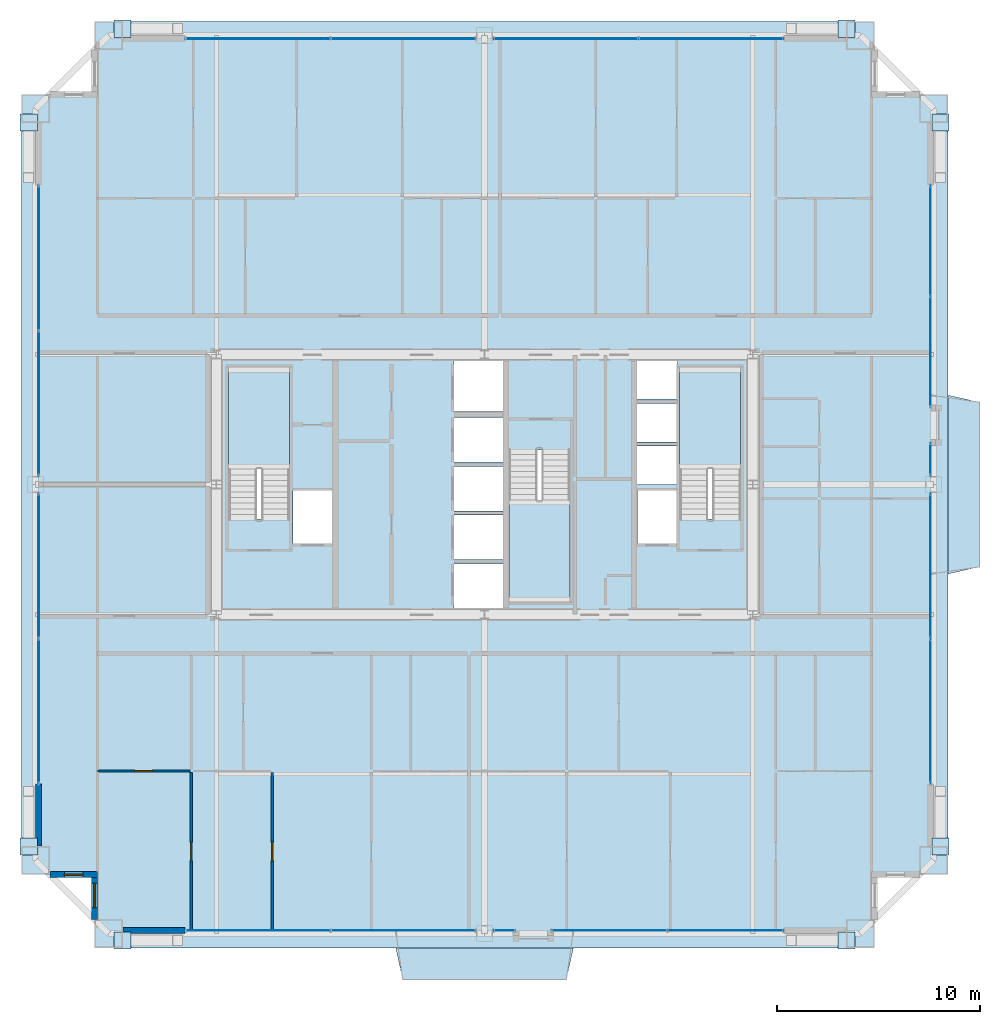
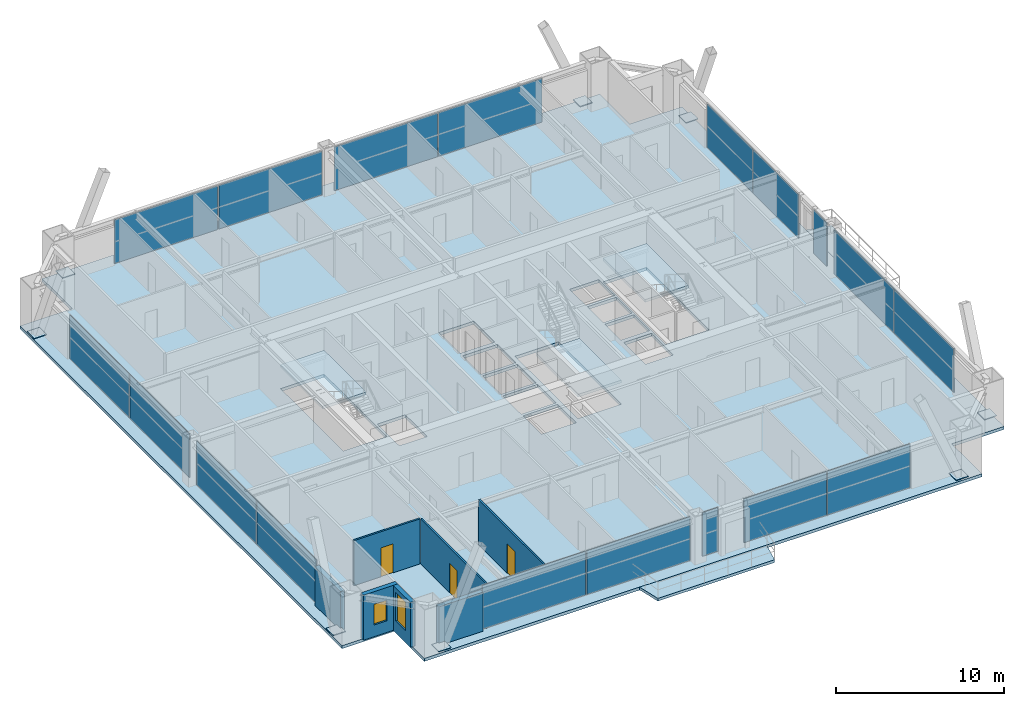
# One storey, part 39 of 45: 26 plates, 7 walls, 6 slabs, 3 doors, 2 windows, 5 openings, 13 elements without a shape of their own.
"""IFC4 building model written with IfcOpenShell, lengths in metres."""

from ifc_helpers import new_model, si_unit, direction, frame, frame_2d, origin, origin_2d, place, context, subcontext, project, spatial, polyline, rectangle, outline, extrude, source, transform, mapped, material, layer, layer_set, type_object, element, fill, aggregate, save


model = new_model("IFC4")

# Units and contexts
model_context = context("Model", 3, precision=1e-05, world=origin(), true_north=direction((0.0, 1.0)))
body_context = subcontext(model_context, "Body", "Model", "MODEL_VIEW")
ifc_project = project(units=[si_unit("LENGTHUNIT", "METRE"), si_unit("AREAUNIT", "SQUARE_METRE"), si_unit("VOLUMEUNIT", "CUBIC_METRE"), si_unit("PLANEANGLEUNIT", "RADIAN"), si_unit("MASSUNIT", "GRAM", prefix="KILO"), si_unit("THERMODYNAMICTEMPERATUREUNIT", "KELVIN"), si_unit("POWERUNIT", "WATT")], contexts=[model_context])

# Site, building, storey
site_placement = place(None, origin())
site = spatial("IfcSite", under=ifc_project, at=site_placement, CompositionType="ELEMENT")
building_placement = place(site_placement, origin())
building = spatial("IfcBuilding", under=site, at=building_placement, Name="Yuzanri Waterfront Tower", CompositionType="ELEMENT")
storey_placement = place(building_placement, frame((0.0, 0.0, 191.5)))
storey = spatial("IfcBuildingStorey", under=building, at=storey_placement, Name="L50", CompositionType="ELEMENT", Elevation=191.5)

# Slabs
ifc_material_1 = material(Name="Concrete C40", Category="concrete")
ifc_layer_1 = layer(ifc_material_1, 0.199951171875)
ifc_layer_set_1 = layer_set([ifc_layer_1], Name="Concrete C40")
slab_type_1 = type_object("IfcSlabType", Name="Concrete C40 Cantilevered Engawa Wave Terrace Slab 200", PredefinedType="FLOOR", material=ifc_layer_set_1)
slab_1_placement = place(storey_placement, frame((0.0, 0.0, -0.199951171875)))
element("IfcSlab", 1, at=slab_1_placement, inside=storey, type_object=slab_type_1, Name="L50 S Cantilevered Engawa Terrace Slab", PredefinedType="FLOOR", context=body_context, shape_type="SweptSolid", body=[
    extrude(outline(polyline([(32.625, 3.0), (41.375, 3.0), (41.02490234375, 1.43896484375), (32.97509765625, 1.43896484375), (32.625, 3.0)])), origin(), (0.0, 0.0, 1.0), 0.199951171875),
])
slab_2_placement = place(storey_placement, frame((0.0, 0.0, -0.199951171875)))
element("IfcSlab", 2, at=slab_2_placement, inside=storey, type_object=slab_type_1, Name="L50 E Cantilevered Engawa Terrace Slab", PredefinedType="FLOOR", context=body_context, shape_type="SweptSolid", body=[
    extrude(outline(polyline([(59.800048828125, 21.39990234375), (61.361083984375, 21.75), (61.361083984375, 29.85009765625), (59.800048828125, 30.199951171875), (59.800048828125, 21.39990234375)])), origin(), (0.0, 0.0, 1.0), 0.199951171875),
])

# Stair, slab
ifc_material_2 = material(Name="Concrete C40", Category="concrete")
stair_type = type_object("IfcStairType", Name="Concrete C40 Core Dogleg Exit Stair", PredefinedType="HALF_TURN_STAIR", material=ifc_material_2)
stair_1_placement = place(storey_placement, origin())
stair_1 = element("IfcStair", 3, at=stair_1_placement, inside=storey, type_object=stair_type, Name="L50 Smoke-Proof Core Stair ST-01", PredefinedType="HALF_TURN_STAIR")
ifc_material_3 = material(Name="Concrete C40", Category="concrete")
ifc_layer_2 = layer(ifc_material_3, 0.179931640625)
ifc_layer_set_2 = layer_set([ifc_layer_2], Name="Concrete C40")
slab_type_2 = type_object("IfcSlabType", Name="Concrete C40 Stair Half-Landing Slab 180", PredefinedType="LANDING", material=ifc_layer_set_2)
slab_3_placement = place(storey_placement, frame((0.0, 0.0, 1.550048828125)))
slab_3 = element("IfcSlab", 4, at=slab_3_placement, type_object=slab_type_2, Name="ST-01 landing 1", PredefinedType="LANDING", context=body_context, shape_type="SweptSolid", body=[
    extrude(outline(polyline([(27.39990234375, 26.56005859375), (27.39990234375, 31.580078125), (24.39990234375, 31.580078125), (24.39990234375, 26.56005859375), (27.39990234375, 26.56005859375)])), origin(), (0.0, 0.0, 1.0), 0.199951171875),
])
aggregate(stair_1, [slab_3])

stair_2_placement = place(storey_placement, origin())
stair_2 = element("IfcStair", 5, at=stair_2_placement, inside=storey, type_object=stair_type, Name="L50 Smoke-Proof Core Stair ST-02", PredefinedType="HALF_TURN_STAIR")
slab_4_placement = place(storey_placement, frame((0.0, 0.0, 1.550048828125)))
slab_4 = element("IfcSlab", 6, at=slab_4_placement, type_object=slab_type_2, Name="ST-02 landing 1", PredefinedType="LANDING", context=body_context, shape_type="SweptSolid", body=[
    extrude(outline(polyline([(49.60009765625, 26.56005859375), (49.60009765625, 31.580078125), (46.60009765625, 31.580078125), (46.60009765625, 26.56005859375), (49.60009765625, 26.56005859375)])), origin(), (0.0, 0.0, 1.0), 0.199951171875),
])
aggregate(stair_2, [slab_4])

stair_3_placement = place(storey_placement, origin())
stair_3 = element("IfcStair", 7, at=stair_3_placement, inside=storey, type_object=stair_type, Name="L50 Smoke-Proof Core Stair ST-03", PredefinedType="HALF_TURN_STAIR")
slab_5_placement = place(storey_placement, frame((0.0, 0.0, 1.550048828125)))
slab_5 = element("IfcSlab", 8, at=slab_5_placement, type_object=slab_type_2, Name="ST-03 landing 1", PredefinedType="LANDING", context=body_context, shape_type="SweptSolid", body=[
    extrude(outline(polyline([(38.199951171875, 25.0400390625), (38.199951171875, 20.02001953125), (41.199951171875, 20.02001953125), (41.199951171875, 25.0400390625), (38.199951171875, 25.0400390625)])), origin(), (0.0, 0.0, 1.0), 0.199951171875),
])
aggregate(stair_3, [slab_5])

# Slab
ifc_material_4 = material(Name="Concrete C40", Category="concrete")
ifc_layer_3 = layer(ifc_material_4, 0.219970703125)
ifc_layer_set_3 = layer_set([ifc_layer_3], Name="Concrete C40")
slab_type_3 = type_object("IfcSlabType", Name="Concrete C40 Tower Typical Structural Floor Slab 220", PredefinedType="FLOOR", material=ifc_layer_set_3)
slab_6_placement = place(storey_placement, frame((0.0, 0.0, -0.219970703125)))
element("IfcSlab", 9, at=slab_6_placement, inside=storey, type_object=slab_type_3, Name="L50 Main Structural Floor Slab", PredefinedType="FLOOR", context=body_context, shape_type="SweptSolid", body=[
    extrude(outline(polyline([(17.800048828125, 3.0), (56.199951171875, 3.0), (56.199951171875, 6.60009765625), (59.800048828125, 6.60009765625), (59.800048828125, 45.0), (56.199951171875, 45.0), (56.199951171875, 48.60009765625), (17.800048828125, 48.60009765625), (17.800048828125, 45.0), (14.199951171875, 45.0), (14.199951171875, 6.60009765625), (17.800048828125, 6.60009765625), (17.800048828125, 3.0)]), holes=[polyline([(27.39990234375, 24.10009765625), (27.39990234375, 31.580078125), (24.39990234375, 31.580078125), (24.39990234375, 24.10009765625), (27.39990234375, 24.10009765625)]), polyline([(49.60009765625, 24.10009765625), (49.60009765625, 31.580078125), (46.60009765625, 31.580078125), (46.60009765625, 24.10009765625), (49.60009765625, 24.10009765625)]), polyline([(38.199951171875, 27.5), (38.199951171875, 20.02001953125), (41.199951171875, 20.02001953125), (41.199951171875, 27.5), (38.199951171875, 27.5)]), polyline([(27.56005859375, 22.89990234375), (29.47998046875, 22.89990234375), (29.47998046875, 25.5), (27.56005859375, 25.5), (27.56005859375, 22.89990234375)]), polyline([(44.52001953125, 22.89990234375), (46.43994140625, 22.89990234375), (46.43994140625, 25.5), (44.52001953125, 25.5), (44.52001953125, 22.89990234375)]), polyline([(35.5, 19.699951171875), (37.89990234375, 19.699951171875), (37.89990234375, 21.89990234375), (35.5, 21.89990234375), (35.5, 19.699951171875)]), polyline([(35.5, 22.10009765625), (37.89990234375, 22.10009765625), (37.89990234375, 24.300048828125), (35.5, 24.300048828125), (35.5, 22.10009765625)]), polyline([(35.5, 24.5), (37.89990234375, 24.5), (37.89990234375, 26.699951171875), (35.5, 26.699951171875), (35.5, 24.5)]), polyline([(35.5, 26.89990234375), (37.89990234375, 26.89990234375), (37.89990234375, 29.10009765625), (35.5, 29.10009765625), (35.5, 26.89990234375)]), polyline([(35.5, 29.39990234375), (37.89990234375, 29.39990234375), (37.89990234375, 31.89990234375), (35.5, 31.89990234375), (35.5, 29.39990234375)]), polyline([(44.5, 25.800048828125), (46.5, 25.800048828125), (46.5, 27.699951171875), (44.5, 27.699951171875), (44.5, 25.800048828125)]), polyline([(44.5, 27.89990234375), (46.5, 27.89990234375), (46.5, 29.800048828125), (44.5, 29.800048828125), (44.5, 27.89990234375)]), polyline([(44.5, 30.0), (46.5, 30.0), (46.5, 31.89990234375), (44.5, 31.89990234375), (44.5, 30.0)])]), origin(), (0.0, 0.0, 1.0), 0.219970703125),
])

# Plates
ifc_material_5 = material(Name="Steel Q420GJC", Category="steel")
ifc_layer_4 = layer(ifc_material_5, 0.0400390625)
ifc_layer_set_4 = layer_set([ifc_layer_4], Name="Steel Q420GJC")
plate_type_1 = type_object("IfcPlateType", Name="Steel Q420GJC Mega-Brace Gusset and End-Cap Plate 40", PredefinedType="SHEET", material=ifc_layer_set_4)
shared_shape_1 = source(origin(), body_context, "Body", "SweptSolid", [
    extrude(rectangle(XDim=0.85009765625, YDim=0.85009765625, at=origin_2d()), origin(), (0.0, 0.0, 1.0), 0.0400390625),
])
for number, where, z_axis, x_axis, name in (
    (10, (19.179931640625, 3.360107421875, 0.159912109375), (0.0, 0.0, 1.0), (1.0, 0.0, 0.0), "L50 Mega-Brace Foot Cap Plate S-L"),
    (11, (54.820068359375, 3.360107421875, 0.159912109375), (0.0, 0.0, 1.0), (1.0, 0.0, 0.0), "L50 Mega-Brace Foot Cap Plate S-R"),
    (12, (19.179931640625, 48.239990234375, 0.159912109375), (0.0, 0.0, 1.0), (1.0, 0.0, 0.0), "L50 Mega-Brace Foot Cap Plate N-L"),
    (13, (54.820068359375, 48.239990234375, 0.159912109375), (0.0, 0.0, 1.0), (1.0, 0.0, 0.0), "L50 Mega-Brace Foot Cap Plate N-R"),
    (14, (14.56005859375, 7.97998046875, 0.159912109375), (0.0, 0.0, 1.0), (1.0, 0.0, 0.0), "L50 Mega-Brace Foot Cap Plate W-L"),
    (15, (14.56005859375, 43.6201171875, 0.159912109375), (0.0, 0.0, 1.0), (1.0, 0.0, 0.0), "L50 Mega-Brace Foot Cap Plate W-R"),
    (16, (59.43994140625, 7.97998046875, 0.159912109375), (0.0, 0.0, 1.0), (1.0, 0.0, 0.0), "L50 Mega-Brace Foot Cap Plate E-L"),
    (17, (59.43994140625, 43.6201171875, 0.159912109375), (0.0, 0.0, 1.0), (1.0, 0.0, 0.0), "L50 Mega-Brace Foot Cap Plate E-R"),
):
    element("IfcPlate", number, at=place(storey_placement, frame(where, z_axis=z_axis, x_axis=x_axis)), inside=storey, type_object=plate_type_1, Name=name, PredefinedType="SHEET", context=body_context, shape_type="MappedRepresentation", body=[
        mapped(shared_shape_1, transform((0.0, 0.0, 0.0), scale=1.0)),
    ])

# Curtain wall, plates
ifc_material_6 = material(Name="Anodized Architectural Bronze", Category="metal")
ifc_layer_5 = layer(ifc_material_6, 0.159912109375)
ifc_layer_set_5 = layer_set([ifc_layer_5], Name="Anodized Architectural Bronze")
curtain_wall_type = type_object("IfcCurtainWallType", Name="Anodized Bronze Mid-Rise Residential Acoustic Unitized Curtain Wall 7200", PredefinedType="NOTDEFINED", material=ifc_layer_set_5)
curtain_wall_1_placement = place(storey_placement, origin())
curtain_wall_1 = element("IfcCurtainWall", 18, at=curtain_wall_1_placement, inside=storey, type_object=curtain_wall_type, Name="L50 Curtain Wall CW-L50-SL", PredefinedType="NOTDEFINED")
ifc_material_7 = material(Name="Triple Low-E Laminated Insulated Glass", Category="glass")
ifc_layer_6 = layer(ifc_material_7, 0.0439453125)
ifc_layer_set_6 = layer_set([ifc_layer_6], Name="Triple Low-E Laminated Insulated Glass")
plate_type_2 = type_object("IfcPlateType", Name="Triple Glazed Acoustic Vision Glass Panel 44", PredefinedType="CURTAIN_PANEL", material=ifc_layer_set_6)
shared_shape_2 = source(origin(), body_context, "Body", "SweptSolid", [
    extrude(rectangle(XDim=7.094970703125, YDim=0.0439453125, at=origin_2d()), origin(), (0.0, 0.0, 1.0), 3.179931640625),
])
plate_1_placement = place(storey_placement, frame((25.83740234375, 3.85009765625, 0.0498046875), z_axis=(0.0, 0.0, 1.0), x_axis=(1.0, 0.0, 0.0)))
plate_1 = element("IfcPlate", 19, at=plate_1_placement, type_object=plate_type_2, Name="CW-L50-SL Vision Glass Panel 01", PredefinedType="CURTAIN_PANEL", context=body_context, shape_type="MappedRepresentation", body=[
    mapped(shared_shape_2, transform((0.0, 0.0, 0.0), scale=1.0)),
])
plate_2_placement = place(storey_placement, frame((33.012451171875, 3.85009765625, 0.0498046875), z_axis=(0.0, 0.0, 1.0), x_axis=(1.0, 0.0, 0.0)))
plate_2 = element("IfcPlate", 20, at=plate_2_placement, type_object=plate_type_2, Name="CW-L50-SL Vision Glass Panel 02", PredefinedType="CURTAIN_PANEL", context=body_context, shape_type="MappedRepresentation", body=[
    mapped(shared_shape_2, transform((0.0, 0.0, 0.0), scale=1.0)),
])
aggregate(curtain_wall_1, [plate_1, plate_2])

curtain_wall_2_placement = place(storey_placement, origin())
curtain_wall_2 = element("IfcCurtainWall", 21, at=curtain_wall_2_placement, inside=storey, type_object=curtain_wall_type, Name="L50 Curtain Wall CW-L50-NL", PredefinedType="NOTDEFINED")
plate_3_placement = place(storey_placement, frame((25.83740234375, 47.75, 0.0498046875), z_axis=(0.0, 0.0, 1.0), x_axis=(1.0, 0.0, 0.0)))
plate_3 = element("IfcPlate", 22, at=plate_3_placement, type_object=plate_type_2, Name="CW-L50-NL Vision Glass Panel 01", PredefinedType="CURTAIN_PANEL", context=body_context, shape_type="MappedRepresentation", body=[
    mapped(shared_shape_2, transform((0.0, 0.0, 0.0), scale=1.0)),
])
plate_4_placement = place(storey_placement, frame((33.012451171875, 47.75, 0.0498046875), z_axis=(0.0, 0.0, 1.0), x_axis=(1.0, 0.0, 0.0)))
plate_4 = element("IfcPlate", 23, at=plate_4_placement, type_object=plate_type_2, Name="CW-L50-NL Vision Glass Panel 02", PredefinedType="CURTAIN_PANEL", context=body_context, shape_type="MappedRepresentation", body=[
    mapped(shared_shape_2, transform((0.0, 0.0, 0.0), scale=1.0)),
])
aggregate(curtain_wall_2, [plate_3, plate_4])

curtain_wall_3_placement = place(storey_placement, origin())
curtain_wall_3 = element("IfcCurtainWall", 24, at=curtain_wall_3_placement, inside=storey, type_object=curtain_wall_type, Name="L50 Curtain Wall CW-L50-NR", PredefinedType="NOTDEFINED")
plate_5_placement = place(storey_placement, frame((40.987548828125, 47.75, 0.0498046875), z_axis=(0.0, 0.0, 1.0), x_axis=(1.0, 0.0, 0.0)))
plate_5 = element("IfcPlate", 25, at=plate_5_placement, type_object=plate_type_2, Name="CW-L50-NR Vision Glass Panel 01", PredefinedType="CURTAIN_PANEL", context=body_context, shape_type="MappedRepresentation", body=[
    mapped(shared_shape_2, transform((0.0, 0.0, 0.0), scale=1.0)),
])
plate_6_placement = place(storey_placement, frame((48.16259765625, 47.75, 0.0498046875), z_axis=(0.0, 0.0, 1.0), x_axis=(1.0, 0.0, 0.0)))
plate_6 = element("IfcPlate", 26, at=plate_6_placement, type_object=plate_type_2, Name="CW-L50-NR Vision Glass Panel 02", PredefinedType="CURTAIN_PANEL", context=body_context, shape_type="MappedRepresentation", body=[
    mapped(shared_shape_2, transform((0.0, 0.0, 0.0), scale=1.0)),
])
aggregate(curtain_wall_3, [plate_5, plate_6])

curtain_wall_4_placement = place(storey_placement, origin())
curtain_wall_4 = element("IfcCurtainWall", 27, at=curtain_wall_4_placement, inside=storey, type_object=curtain_wall_type, Name="L50 Curtain Wall CW-L50-WL", PredefinedType="NOTDEFINED")
plate_7_placement = place(storey_placement, frame((15.050048828125, 14.637451171875, 0.0498046875), z_axis=(0.0, 0.0, 1.0), x_axis=(0.0, 1.0, 0.0)))
plate_7 = element("IfcPlate", 28, at=plate_7_placement, type_object=plate_type_2, Name="CW-L50-WL Vision Glass Panel 01", PredefinedType="CURTAIN_PANEL", context=body_context, shape_type="MappedRepresentation", body=[
    mapped(shared_shape_2, transform((0.0, 0.0, 0.0), scale=1.0)),
])
plate_8_placement = place(storey_placement, frame((15.050048828125, 21.8125, 0.0498046875), z_axis=(0.0, 0.0, 1.0), x_axis=(0.0, 1.0, 0.0)))
plate_8 = element("IfcPlate", 29, at=plate_8_placement, type_object=plate_type_2, Name="CW-L50-WL Vision Glass Panel 02", PredefinedType="CURTAIN_PANEL", context=body_context, shape_type="MappedRepresentation", body=[
    mapped(shared_shape_2, transform((0.0, 0.0, 0.0), scale=1.0)),
])
aggregate(curtain_wall_4, [plate_7, plate_8])

curtain_wall_5_placement = place(storey_placement, origin())
curtain_wall_5 = element("IfcCurtainWall", 30, at=curtain_wall_5_placement, inside=storey, type_object=curtain_wall_type, Name="L50 Curtain Wall CW-L50-WR", PredefinedType="NOTDEFINED")
plate_9_placement = place(storey_placement, frame((15.050048828125, 29.78759765625, 0.0498046875), z_axis=(0.0, 0.0, 1.0), x_axis=(0.0, 1.0, 0.0)))
plate_9 = element("IfcPlate", 31, at=plate_9_placement, type_object=plate_type_2, Name="CW-L50-WR Vision Glass Panel 01", PredefinedType="CURTAIN_PANEL", context=body_context, shape_type="MappedRepresentation", body=[
    mapped(shared_shape_2, transform((0.0, 0.0, 0.0), scale=1.0)),
])
plate_10_placement = place(storey_placement, frame((15.050048828125, 36.96240234375, 0.0498046875), z_axis=(0.0, 0.0, 1.0), x_axis=(0.0, 1.0, 0.0)))
plate_10 = element("IfcPlate", 32, at=plate_10_placement, type_object=plate_type_2, Name="CW-L50-WR Vision Glass Panel 02", PredefinedType="CURTAIN_PANEL", context=body_context, shape_type="MappedRepresentation", body=[
    mapped(shared_shape_2, transform((0.0, 0.0, 0.0), scale=1.0)),
])
aggregate(curtain_wall_5, [plate_9, plate_10])

curtain_wall_6_placement = place(storey_placement, origin())
curtain_wall_6 = element("IfcCurtainWall", 33, at=curtain_wall_6_placement, inside=storey, type_object=curtain_wall_type, Name="L50 Curtain Wall CW-L50-EL", PredefinedType="NOTDEFINED")
plate_11_placement = place(storey_placement, frame((58.949951171875, 14.637451171875, 0.0498046875), z_axis=(0.0, 0.0, 1.0), x_axis=(0.0, 1.0, 0.0)))
plate_11 = element("IfcPlate", 34, at=plate_11_placement, type_object=plate_type_2, Name="CW-L50-EL Vision Glass Panel 01", PredefinedType="CURTAIN_PANEL", context=body_context, shape_type="MappedRepresentation", body=[
    mapped(shared_shape_2, transform((0.0, 0.0, 0.0), scale=1.0)),
])
plate_12_placement = place(storey_placement, frame((58.949951171875, 21.8125, 0.0498046875), z_axis=(0.0, 0.0, 1.0), x_axis=(0.0, 1.0, 0.0)))
plate_12 = element("IfcPlate", 35, at=plate_12_placement, type_object=plate_type_2, Name="CW-L50-EL Vision Glass Panel 02", PredefinedType="CURTAIN_PANEL", context=body_context, shape_type="MappedRepresentation", body=[
    mapped(shared_shape_2, transform((0.0, 0.0, 0.0), scale=1.0)),
])
aggregate(curtain_wall_6, [plate_11, plate_12])

# Curtain wall, plate
curtain_wall_7_placement = place(storey_placement, origin())
curtain_wall_7 = element("IfcCurtainWall", 36, at=curtain_wall_7_placement, inside=storey, type_object=curtain_wall_type, Name="L50 Curtain Wall CW-L50-SR1", PredefinedType="NOTDEFINED")
shared_shape_3 = source(origin(), body_context, "Body", "SweptSolid", [
    extrude(rectangle(XDim=1.070068359375, YDim=0.0439453125, at=origin_2d()), origin(), (0.0, 0.0, 1.0), 3.179931640625),
])
plate_13_placement = place(storey_placement, frame((37.97509765625, 3.85009765625, 0.0498046875), z_axis=(0.0, 0.0, 1.0), x_axis=(1.0, 0.0, 0.0)))
plate_13 = element("IfcPlate", 37, at=plate_13_placement, type_object=plate_type_2, Name="CW-L50-SR1 Vision Glass Panel 01", PredefinedType="CURTAIN_PANEL", context=body_context, shape_type="MappedRepresentation", body=[
    mapped(shared_shape_3, transform((0.0, 0.0, 0.0), scale=1.0)),
])
aggregate(curtain_wall_7, [plate_13])

# Curtain wall, plates
curtain_wall_8_placement = place(storey_placement, origin())
curtain_wall_8 = element("IfcCurtainWall", 38, at=curtain_wall_8_placement, inside=storey, type_object=curtain_wall_type, Name="L50 Curtain Wall CW-L50-SR2", PredefinedType="NOTDEFINED")
shared_shape_4 = source(origin(), body_context, "Body", "SweptSolid", [
    extrude(rectangle(XDim=5.669921875, YDim=0.0439453125, at=origin_2d()), origin(), (0.0, 0.0, 1.0), 3.179931640625),
])
plate_14_placement = place(storey_placement, frame((43.125, 3.85009765625, 0.0498046875), z_axis=(0.0, 0.0, 1.0), x_axis=(1.0, 0.0, 0.0)))
plate_14 = element("IfcPlate", 39, at=plate_14_placement, type_object=plate_type_2, Name="CW-L50-SR2 Vision Glass Panel 01", PredefinedType="CURTAIN_PANEL", context=body_context, shape_type="MappedRepresentation", body=[
    mapped(shared_shape_4, transform((0.0, 0.0, 0.0), scale=1.0)),
])
plate_15_placement = place(storey_placement, frame((48.875, 3.85009765625, 0.0498046875), z_axis=(0.0, 0.0, 1.0), x_axis=(1.0, 0.0, 0.0)))
plate_15 = element("IfcPlate", 40, at=plate_15_placement, type_object=plate_type_2, Name="CW-L50-SR2 Vision Glass Panel 02", PredefinedType="CURTAIN_PANEL", context=body_context, shape_type="MappedRepresentation", body=[
    mapped(shared_shape_4, transform((0.0, 0.0, 0.0), scale=1.0)),
])
aggregate(curtain_wall_8, [plate_14, plate_15])

# Curtain wall, plate
curtain_wall_9_placement = place(storey_placement, origin())
curtain_wall_9 = element("IfcCurtainWall", 41, at=curtain_wall_9_placement, inside=storey, type_object=curtain_wall_type, Name="L50 Curtain Wall CW-L50-ER1", PredefinedType="NOTDEFINED")
shared_shape_5 = source(origin(), body_context, "Body", "SweptSolid", [
    extrude(rectangle(XDim=1.594970703125, YDim=0.0439453125, at=origin_2d()), origin(), (0.0, 0.0, 1.0), 3.179931640625),
])
plate_16_placement = place(storey_placement, frame((58.949951171875, 27.03759765625, 0.0498046875), z_axis=(0.0, 0.0, 1.0), x_axis=(0.0, 1.0, 0.0)))
plate_16 = element("IfcPlate", 42, at=plate_16_placement, type_object=plate_type_2, Name="CW-L50-ER1 Vision Glass Panel 01", PredefinedType="CURTAIN_PANEL", context=body_context, shape_type="MappedRepresentation", body=[
    mapped(shared_shape_5, transform((0.0, 0.0, 0.0), scale=1.0)),
])
aggregate(curtain_wall_9, [plate_16])

# Curtain wall, plates
curtain_wall_10_placement = place(storey_placement, origin())
curtain_wall_10 = element("IfcCurtainWall", 43, at=curtain_wall_10_placement, inside=storey, type_object=curtain_wall_type, Name="L50 Curtain Wall CW-L50-ER2", PredefinedType="NOTDEFINED")
shared_shape_6 = source(origin(), body_context, "Body", "SweptSolid", [
    extrude(rectangle(XDim=5.407470703125, YDim=0.0439453125, at=origin_2d()), origin(), (0.0, 0.0, 1.0), 3.179931640625),
])
plate_17_placement = place(storey_placement, frame((58.949951171875, 32.31884765625, 0.0498046875), z_axis=(0.0, 0.0, 1.0), x_axis=(0.0, 1.0, 0.0)))
plate_17 = element("IfcPlate", 44, at=plate_17_placement, type_object=plate_type_2, Name="CW-L50-ER2 Vision Glass Panel 01", PredefinedType="CURTAIN_PANEL", context=body_context, shape_type="MappedRepresentation", body=[
    mapped(shared_shape_6, transform((0.0, 0.0, 0.0), scale=1.0)),
])
plate_18_placement = place(storey_placement, frame((58.949951171875, 37.80615234375, 0.0498046875), z_axis=(0.0, 0.0, 1.0), x_axis=(0.0, 1.0, 0.0)))
plate_18 = element("IfcPlate", 45, at=plate_18_placement, type_object=plate_type_2, Name="CW-L50-ER2 Vision Glass Panel 02", PredefinedType="CURTAIN_PANEL", context=body_context, shape_type="MappedRepresentation", body=[
    mapped(shared_shape_6, transform((0.0, 0.0, 0.0), scale=1.0)),
])
aggregate(curtain_wall_10, [plate_17, plate_18])

# Wall, opening, door
ifc_material_8 = material(Name="Moisture-Resistant Gypsum Stud Wall", Category="gypsum")
ifc_layer_7 = layer(ifc_material_8, 0.1201171875)
ifc_layer_set_7 = layer_set([ifc_layer_7], Name="Moisture-Resistant Gypsum Stud Wall")
wall_type_1 = type_object("IfcWallType", Name="Bathroom and Kitchen Wet Partition 120", PredefinedType="PARTITIONING", material=ifc_layer_set_7)
wall_1_placement = place(storey_placement, frame((17.93994140625, 11.699951171875, 0.0), z_axis=(0.0, 0.0, 1.0), x_axis=(1.0, 0.0, 0.0)))
wall_1 = element("IfcWall", 46, at=wall_1_placement, inside=storey, type_object=wall_type_1, Name="L50 Partition UW-L50-RS1-SUB-1-S", PredefinedType="PARTITIONING", context=body_context, shape_type="SweptSolid", body=[
    extrude(rectangle(XDim=4.553955078125, YDim=0.1201171875, at=frame_2d((2.27685546875, 0.0))), origin(), (0.0, 0.0, 1.0), 3.280029296875),
])
opening_1_placement = place(wall_1_placement, frame((1.85205078125, 0.0, 0.0)))
opening_1 = element("IfcOpeningElement", 47, at=opening_1_placement, cuts=wall_1, Name="Opening ID-0850", PredefinedType="OPENING", context=body_context, shape_type="SweptSolid", body=[
    extrude(rectangle(XDim=0.85009765625, YDim=2.10009765625, at=frame_2d((0.425048828125, 1.050048828125))), frame((0.0, 0.074951171875, 0.0), z_axis=(0.0, -1.0, 0.0), x_axis=(1.0, 0.0, 0.0)), (0.0, 0.0, 1.0), 0.14990234375),
])
ifc_material_9 = material(Name="Moisture-Resistant Lacquered Timber", Category="wood")
door_type_1 = type_object("IfcDoorType", Name="En-Suite Bathroom and Kitchen Swing Door 850x2100", OperationType="NOTDEFINED", PredefinedType="DOOR", material=ifc_material_9)
shared_shape_7 = source(origin(), body_context, "Body", "SweptSolid", [
    extrude(rectangle(XDim=0.85009765625, YDim=2.10009765625, at=frame_2d((0.425048828125, 1.050048828125))), frame((0.0, 0.02490234375, 0.0), z_axis=(0.0, -1.0, 0.0), x_axis=(1.0, 0.0, 0.0)), (0.0, 0.0, 1.0), 0.050048828125),
])
door_1_placement = place(opening_1_placement, origin())
door_1 = element("IfcDoor", 48, at=door_1_placement, inside=storey, type_object=door_type_1, Name="L50 Suite Interior Room Door", OperationType="SINGLE_SWING_LEFT", OverallHeight=2.10009765625, OverallWidth=0.85009765625, PredefinedType="DOOR", context=body_context, shape_type="MappedRepresentation", body=[
    mapped(shared_shape_7, transform((0.0, 0.0, 0.0), scale=1.0)),
])
fill(opening_1, door_1)

wall_2_placement = place(storey_placement, frame((22.573974609375, 3.85009765625, 0.0), z_axis=(0.0, 0.0, 1.0), x_axis=(0.0, 1.0, 0.0)))
wall_2 = element("IfcWall", 49, at=wall_2_placement, inside=storey, type_object=wall_type_1, Name="L50 Partition UW-L50-RS1-SUB-5-E", PredefinedType="PARTITIONING", context=body_context, shape_type="SweptSolid", body=[
    extrude(rectangle(XDim=7.77001953125, YDim=0.1201171875, at=frame_2d((3.885009765625, 0.0))), origin(), (0.0, 0.0, 1.0), 3.280029296875),
])
opening_2_placement = place(wall_2_placement, frame((3.43505859375, 0.0, 0.0)))
opening_2 = element("IfcOpeningElement", 50, at=opening_2_placement, cuts=wall_2, Name="Opening ID-0900", PredefinedType="OPENING", context=body_context, shape_type="SweptSolid", body=[
    extrude(rectangle(XDim=0.89990234375, YDim=2.14990234375, at=frame_2d((0.449951171875, 1.074951171875))), frame((0.0, 0.074951171875, 0.0), z_axis=(0.0, -1.0, 0.0), x_axis=(1.0, 0.0, 0.0)), (0.0, 0.0, 1.0), 0.14990234375),
])
ifc_material_10 = material(Name="Stained Walnut Veneer Timber", Category="wood")
door_type_2 = type_object("IfcDoorType", Name="Bedroom and Study Interior Swing Door 900x2150", OperationType="NOTDEFINED", PredefinedType="DOOR", material=ifc_material_10)
shared_shape_8 = source(origin(), body_context, "Body", "SweptSolid", [
    extrude(rectangle(XDim=0.89990234375, YDim=2.14990234375, at=frame_2d((0.449951171875, 1.074951171875))), frame((0.0, 0.02490234375, 0.0), z_axis=(0.0, -1.0, 0.0), x_axis=(1.0, 0.0, 0.0)), (0.0, 0.0, 1.0), 0.050048828125),
])
door_2_placement = place(opening_2_placement, origin())
door_2 = element("IfcDoor", 51, at=door_2_placement, inside=storey, type_object=door_type_2, Name="L50 Suite Interior Room Door", OperationType="SINGLE_SWING_LEFT", OverallHeight=2.14990234375, OverallWidth=0.89990234375, PredefinedType="DOOR", context=body_context, shape_type="MappedRepresentation", body=[
    mapped(shared_shape_8, transform((0.0, 0.0, 0.0), scale=1.0)),
])
fill(opening_2, door_2)

wall_3_placement = place(storey_placement, frame((26.56103515625, 3.85009765625, 0.0), z_axis=(0.0, 0.0, 1.0), x_axis=(0.0, 1.0, 0.0)))
wall_3 = element("IfcWall", 52, at=wall_3_placement, inside=storey, type_object=wall_type_1, Name="L50 Partition UW-L50-RS1-SUB-7-E", PredefinedType="PARTITIONING", context=body_context, shape_type="SweptSolid", body=[
    extrude(rectangle(XDim=7.77001953125, YDim=0.1201171875, at=frame_2d((3.885009765625, 0.0))), origin(), (0.0, 0.0, 1.0), 3.280029296875),
])
opening_3_placement = place(wall_3_placement, frame((3.43505859375, 0.0, 0.0)))
opening_3 = element("IfcOpeningElement", 53, at=opening_3_placement, cuts=wall_3, Name="Opening ID-0900", PredefinedType="OPENING", context=body_context, shape_type="SweptSolid", body=[
    extrude(rectangle(XDim=0.89990234375, YDim=2.14990234375, at=frame_2d((0.449951171875, 1.074951171875))), frame((0.0, 0.074951171875, 0.0), z_axis=(0.0, -1.0, 0.0), x_axis=(1.0, 0.0, 0.0)), (0.0, 0.0, 1.0), 0.14990234375),
])
door_3_placement = place(opening_3_placement, origin())
door_3 = element("IfcDoor", 54, at=door_3_placement, inside=storey, type_object=door_type_2, Name="L50 Suite Interior Room Door", OperationType="SINGLE_SWING_LEFT", OverallHeight=2.14990234375, OverallWidth=0.89990234375, PredefinedType="DOOR", context=body_context, shape_type="MappedRepresentation", body=[
    mapped(shared_shape_8, transform((0.0, 0.0, 0.0), scale=1.0)),
])
fill(opening_3, door_3)

# Wall, opening, window
ifc_material_11 = material(Name="Honed Chongqing Dark Basalt Stone", Category="masonry")
ifc_layer_8 = layer(ifc_material_11, 0.300048828125)
ifc_layer_set_8 = layer_set([ifc_layer_8], Name="Honed Chongqing Dark Basalt Stone")
wall_type_2 = type_object("IfcWallType", Name="Bronze Rainscreen Insulated Spandrel Portal Wall 300", PredefinedType="SOLIDWALL", material=ifc_layer_set_8)
wall_4_placement = place(storey_placement, frame((15.60009765625, 6.60009765625, 0.0), z_axis=(0.0, 0.0, 1.0), x_axis=(1.0, 0.0, 0.0)))
wall_4 = element("IfcWall", 55, at=wall_4_placement, inside=storey, type_object=wall_type_2, Name="L50 Notched Corner Masonry Wall SW-X", PredefinedType="SOLIDWALL", context=body_context, shape_type="SweptSolid", body=[
    extrude(rectangle(XDim=2.349853515625, YDim=0.300048828125, at=frame_2d((1.1748046875, 0.0))), origin(), (0.0, 0.0, 1.0), 3.280029296875),
])
opening_4_placement = place(wall_4_placement, frame((0.72509765625, 0.0, 0.85009765625)))
opening_4 = element("IfcOpeningElement", 56, at=opening_4_placement, cuts=wall_4, Name="Opening WN-05", PredefinedType="OPENING", context=body_context, shape_type="SweptSolid", body=[
    extrude(rectangle(XDim=0.89990234375, YDim=1.5, at=frame_2d((0.449951171875, 0.75))), frame((0.0, 0.1650390625, 0.0), z_axis=(0.0, -1.0, 0.0), x_axis=(1.0, 0.0, 0.0)), (0.0, 0.0, 1.0), 0.329833984375),
])
ifc_material_12 = material(Name="Double-Silver Low-E Insulated Glass", Category="glass")
window_type_1 = type_object("IfcWindowType", Name="Anodized Bronze Service and Stairwell Smoke-Vent Window 900x1500", PartitioningType="SINGLE_PANEL", PredefinedType="WINDOW", material=ifc_material_12)
shared_shape_9 = source(origin(), body_context, "Body", "SweptSolid", [
    extrude(rectangle(XDim=0.89990234375, YDim=1.5, at=frame_2d((0.449951171875, 0.75))), frame((0.0, 0.030029296875, 0.0), z_axis=(0.0, -1.0, 0.0), x_axis=(1.0, 0.0, 0.0)), (0.0, 0.0, 1.0), 0.06005859375),
])
window_1_placement = place(opening_4_placement, origin())
window_1 = element("IfcWindow", 57, at=window_1_placement, inside=storey, type_object=window_type_1, Name="L50 Notched Corner Window SW-X", OverallHeight=1.5, OverallWidth=0.89990234375, PartitioningType="SINGLE_PANEL", PredefinedType="WINDOW", context=body_context, shape_type="MappedRepresentation", body=[
    mapped(shared_shape_9, transform((0.0, 0.0, 0.0), scale=1.0)),
])
fill(opening_4, window_1)

wall_5_placement = place(storey_placement, frame((17.800048828125, 6.75, 0.0), z_axis=(0.0, 0.0, 1.0), x_axis=(0.0, -1.0, 0.0)))
wall_5 = element("IfcWall", 58, at=wall_5_placement, inside=storey, type_object=wall_type_2, Name="L50 Notched Corner Masonry Wall SW-Y", PredefinedType="SOLIDWALL", context=body_context, shape_type="SweptSolid", body=[
    extrude(rectangle(XDim=2.35009765625, YDim=0.300048828125, at=frame_2d((1.175048828125, 0.0))), origin(), (0.0, 0.0, 1.0), 3.280029296875),
])
opening_5_placement = place(wall_5_placement, frame((0.574951171875, 0.0, 0.85009765625)))
opening_5 = element("IfcOpeningElement", 59, at=opening_5_placement, cuts=wall_5, Name="Opening WN-02", PredefinedType="OPENING", context=body_context, shape_type="SweptSolid", body=[
    extrude(rectangle(XDim=1.199951171875, YDim=2.10009765625, at=frame_2d((0.60009765625, 1.050048828125))), frame((0.0, 0.1650390625, 0.0), z_axis=(0.0, -1.0, 0.0), x_axis=(1.0, 0.0, 0.0)), (0.0, 0.0, 1.0), 0.329833984375),
])
ifc_material_13 = material(Name="Double-Silver Low-E Insulated Glass", Category="glass")
window_type_2 = type_object("IfcWindowType", Name="Anodized Bronze Notched Corner Deep-Set Slot Window 1200x2100", PartitioningType="SINGLE_PANEL", PredefinedType="WINDOW", material=ifc_material_13)
shared_shape_10 = source(origin(), body_context, "Body", "SweptSolid", [
    extrude(rectangle(XDim=1.199951171875, YDim=2.10009765625, at=frame_2d((0.60009765625, 1.050048828125))), frame((0.0, 0.030029296875, 0.0), z_axis=(0.0, -1.0, 0.0), x_axis=(1.0, 0.0, 0.0)), (0.0, 0.0, 1.0), 0.06005859375),
])
window_2_placement = place(opening_5_placement, origin())
window_2 = element("IfcWindow", 60, at=window_2_placement, inside=storey, type_object=window_type_2, Name="L50 Notched Corner Window SW-Y", OverallHeight=2.10009765625, OverallWidth=1.199951171875, PartitioningType="SINGLE_PANEL", PredefinedType="WINDOW", context=body_context, shape_type="MappedRepresentation", body=[
    mapped(shared_shape_10, transform((0.0, 0.0, 0.0), scale=1.0)),
])
fill(opening_5, window_2)

# Walls
shared_shape_11 = source(origin(), body_context, "Body", "SweptSolid", [
    extrude(rectangle(XDim=3.050048828125, YDim=0.300048828125, at=frame_2d((1.52490234375, 0.0))), origin(), (0.0, 0.0, 1.0), 2.8349609375),
])
for number, where, z_axis, x_axis, name in (
    (61, (19.199951171875, 3.85009765625, 0.0), (0.0, 0.0, 1.0), (1.0, 0.0, 0.0), "L50 S Left Braced Masonry Shoulder"),
    (62, (15.050048828125, 8.0, 0.0), (0.0, 0.0, 1.0), (0.0, 1.0, 0.0), "L50 W Left Braced Masonry Shoulder"),
):
    element("IfcWall", number, at=place(storey_placement, frame(where, z_axis=z_axis, x_axis=x_axis)), inside=storey, type_object=wall_type_2, Name=name, PredefinedType="SOLIDWALL", context=body_context, shape_type="MappedRepresentation", body=[
        mapped(shared_shape_11, transform((0.0, 0.0, 0.0), scale=1.0)),
    ])

save(model, "model.ifc")
